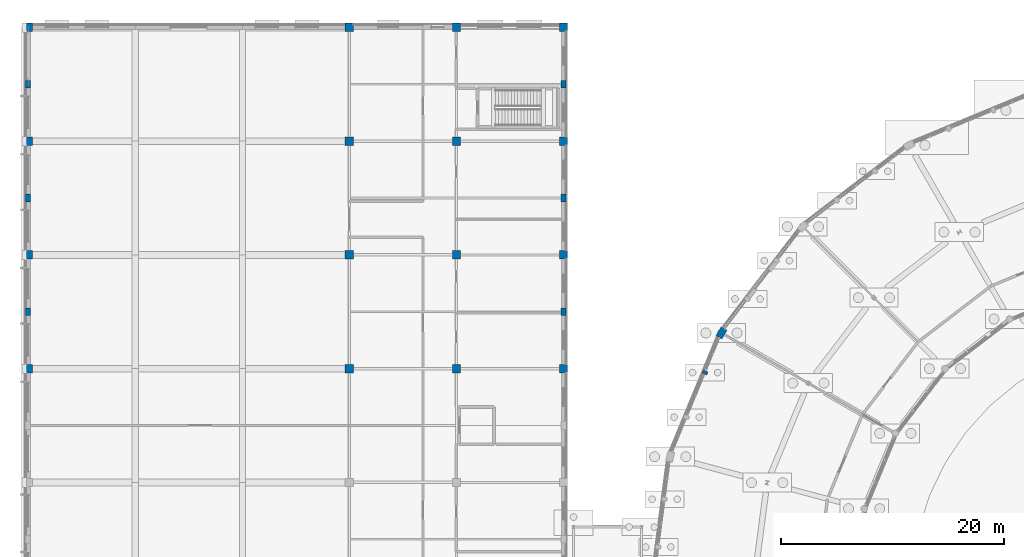
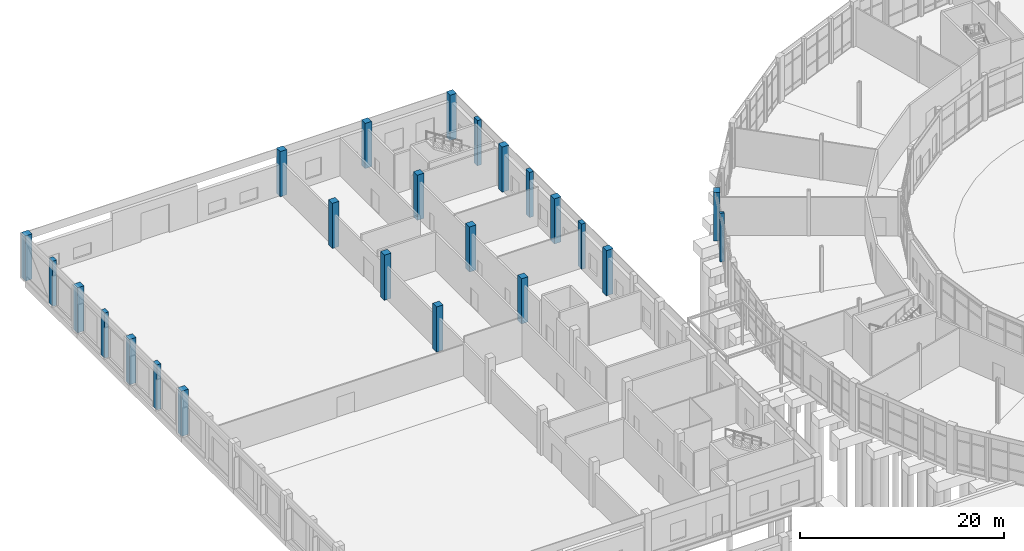
# One storey, part 14 of 137: 24 columns.
"""IFC4 building model written with IfcOpenShell, lengths in metres."""

import ifcopenshell
import ifcopenshell.guid

model = None  # the IFC model being written
_history = None  # IfcOwnerHistory: only IFC2X3 demands one
_inside = {}  # id of a spatial element -> (the spatial element, [elements in it])
_under = {}  # id of a project, library or spatial element -> (it, [spatial elements below it])
_declared = {}  # id of a project -> (the project, [libraries it declares])
_typed = {}  # id of a type object -> (the type object, [elements of that type])
_made_of = {}  # id of a material, layer set ... -> (it, [elements and type objects made of it])


def new_model(schema):
    """Start an empty IFC model of exactly this schema.

    Asked for "IFC4X3", IfcOpenShell would pick the latest addendum, in which some entities
    have other attributes; the version numbers below select the first issue.
    IFC2X3 requires an IfcOwnerHistory on every rooted entity: one is made here for all.
    """
    global model, _history
    if schema == "IFC4X3":
        model = ifcopenshell.file(schema_version=(4, 3, 0, 0))
    else:
        model = ifcopenshell.file(schema=schema)
    _inside.clear()
    _under.clear()
    _declared.clear()
    _typed.clear()
    _made_of.clear()
    _history = None
    if model.schema == "IFC2X3":
        org = make("IfcOrganization", Name="unknown")
        user = make(
            "IfcPersonAndOrganization",
            ThePerson=make("IfcPerson", FamilyName="unknown"),
            TheOrganization=org,
        )
        app = make(
            "IfcApplication",
            ApplicationDeveloper=org,
            Version="unknown",
            ApplicationFullName="unknown",
            ApplicationIdentifier="unknown",
        )
        _history = make(
            "IfcOwnerHistory",
            OwningUser=user,
            OwningApplication=app,
            ChangeAction="ADDED",
            CreationDate=0,
        )
    return model


def make(cls, **values):
    """One entity of the class cls with the attributes given. An attribute that is None is left unset."""
    return model.create_entity(
        cls, **{name: value for name, value in values.items() if value is not None}
    )


def rooted(cls, **values):
    """An entity with a GlobalId (a new one), such as an element, a storey or a relation."""
    return make(cls, GlobalId=ifcopenshell.guid.new(), OwnerHistory=_history, **values)


def si_unit(unit_type, name, prefix=None):
    """IfcSIUnit, for example si_unit("LENGTHUNIT", "METRE", prefix="MILLI")."""
    return make("IfcSIUnit", UnitType=unit_type, Prefix=prefix, Name=name)


def assignment(units):
    """IfcUnitAssignment: the units of a project."""
    return None if units is None else make("IfcUnitAssignment", Units=units)


def point(xyz):
    """IfcCartesianPoint."""
    return None if xyz is None else make("IfcCartesianPoint", Coordinates=xyz)


def direction(xyz):
    """IfcDirection."""
    return None if xyz is None else make("IfcDirection", DirectionRatios=xyz)


def frame(location, z_axis=None, x_axis=None):
    """IfcAxis2Placement3D, a coordinate frame: its origin and axes. An axis left out is left unset."""
    return make(
        "IfcAxis2Placement3D",
        Location=point(location),
        Axis=direction(z_axis),
        RefDirection=direction(x_axis),
    )


def frame_2d(location, x_axis=None):
    """IfcAxis2Placement2D, a coordinate frame in the plane: its origin and x axis."""
    return make(
        "IfcAxis2Placement2D", Location=point(location), RefDirection=direction(x_axis)
    )


def origin():
    """The frame at (0, 0, 0) with its axes left unset."""
    return frame((0.0, 0.0, 0.0))


def origin_2d():
    """The frame at (0, 0) in the plane with its x axis left unset."""
    return frame_2d((0.0, 0.0))


def place(relative_to, where):
    """IfcLocalPlacement: puts the frame where relative to a parent placement (None: the world)."""
    return make(
        "IfcLocalPlacement", PlacementRelTo=relative_to, RelativePlacement=where
    )


def context(
    kind, dimensions, precision=None, world=None, true_north=None, identifier=None
):
    """IfcGeometricRepresentationContext, for example the 3D "Model" context."""
    return make(
        "IfcGeometricRepresentationContext",
        ContextIdentifier=identifier,
        ContextType=kind,
        CoordinateSpaceDimension=dimensions,
        Precision=precision,
        WorldCoordinateSystem=world,
        TrueNorth=true_north,
    )


def subcontext(parent, identifier, kind, view, scale=None):
    """IfcGeometricRepresentationSubContext, for example "Body" below "Model"."""
    return make(
        "IfcGeometricRepresentationSubContext",
        ContextIdentifier=identifier,
        ContextType=kind,
        ParentContext=parent,
        TargetScale=scale,
        TargetView=view,
    )


def project(units=None, contexts=None):
    """IfcProject with its units and contexts."""
    return rooted(
        "IfcProject",
        Name="project",
        RepresentationContexts=contexts,
        UnitsInContext=assignment(units),
    )


def spatial(cls, under=None, at=None, **own):
    """A site, building, storey or space (cls), placed at a placement, below another one or the project."""
    s = rooted(cls, ObjectPlacement=at, **own)
    if under is not None:
        _under.setdefault(under.id(), (under, []))[1].append(s)
    return s


def profile(cls, at=None, kind="AREA", **sizes):
    """A parametric profile (cls). Its sizes go by their IFC names, for example OverallWidth=200.0."""
    return make(cls, ProfileType=kind, Position=at, **sizes)


def rectangle(**sizes):
    """IfcRectangleProfileDef."""
    return profile("IfcRectangleProfileDef", **sizes)


def extrude(swept, where, along, depth):
    """IfcExtrudedAreaSolid: the profile swept, set in the frame where, extruded along a direction by depth."""
    return make(
        "IfcExtrudedAreaSolid",
        SweptArea=swept,
        Position=where,
        ExtrudedDirection=direction(along),
        Depth=depth,
    )


def shape(context_of_items, identifier, shape_type, items):
    """IfcShapeRepresentation: the items that make up one representation, for example the "Body"."""
    return make(
        "IfcShapeRepresentation",
        ContextOfItems=context_of_items,
        RepresentationIdentifier=identifier,
        RepresentationType=shape_type,
        Items=items,
    )


def material(Name=None, Category=None):
    """IfcMaterial."""
    return make("IfcMaterial", Name=Name, Category=Category)


def material_profile(
    of_material, cross_section, Name=None, Category=None, Priority=None
):
    """IfcMaterialProfile: a cross section and its material."""
    return make(
        "IfcMaterialProfile",
        Name=Name,
        Material=of_material,
        Profile=cross_section,
        Priority=Priority,
        Category=Category,
    )


def profile_set(profiles, Name=None, composite=None):
    """IfcMaterialProfileSet."""
    return make(
        "IfcMaterialProfileSet",
        Name=Name,
        MaterialProfiles=profiles,
        CompositeProfile=composite,
    )


def made_of(thing, what):
    """Note that an element or type object is made of a material, layer set ...; save() writes the relation."""
    if what is not None:
        _made_of.setdefault(what.id(), (what, []))[1].append(thing)
    return thing


def type_object(cls, material=None, **own):
    """A type object (cls), such as IfcWallType, which elements share."""
    return made_of(rooted(cls, **own), material)


def element(
    cls,
    number,
    at=None,
    inside=None,
    cuts=None,
    type_object=None,
    material=None,
    context=None,
    identifier="Body",
    shape_type=None,
    held_by="IfcProductDefinitionShape",
    body=None,
    shapes=None,
    **own,
):
    """One element of the class cls, such as IfcWall. Its Tag is "e" and its number.

    at: its placement. inside: the storey or other place that contains it. cuts: it is an
    opening in that element (IfcRelVoidsElement). A single representation is given by context,
    identifier, shape_type and body (its items); several are given by shapes. held_by: the class
    of the entity that holds the representations. save() writes the other relations.
    """
    e = rooted(cls, Tag="e%d" % number, ObjectPlacement=at, **own)
    if body is not None:
        shapes = [shape(context, identifier, shape_type, body)]
    if shapes is not None:
        e.Representation = make(held_by, Representations=shapes)
    if inside is not None:
        _inside.setdefault(inside.id(), (inside, []))[1].append(e)
    if cuts is not None:
        rooted(
            "IfcRelVoidsElement", RelatingBuildingElement=cuts, RelatedOpeningElement=e
        )
    if type_object is not None:
        _typed.setdefault(type_object.id(), (type_object, []))[1].append(e)
    return made_of(e, material)


def aggregate(whole, parts):
    """IfcRelAggregates: a whole, such as a stair, and the parts it consists of."""
    return rooted("IfcRelAggregates", RelatingObject=whole, RelatedObjects=parts)


def save(model, path):
    """Write the relations noted so far, then the file.

    IfcRelAggregates (storeys below a building ...), IfcRelContainedInSpatialStructure (elements
    in a storey), IfcRelDefinesByType, IfcRelAssociatesMaterial and IfcRelDeclares: one each for
    every whole, place, type object, material and project.
    """
    for whole, parts in _under.values():
        aggregate(whole, parts)
    for where, things in _inside.values():
        rooted(
            "IfcRelContainedInSpatialStructure",
            RelatedElements=things,
            RelatingStructure=where,
        )
    for kind, things in _typed.values():
        rooted("IfcRelDefinesByType", RelatedObjects=things, RelatingType=kind)
    for what, things in _made_of.values():
        rooted("IfcRelAssociatesMaterial", RelatedObjects=things, RelatingMaterial=what)
    for by, libraries in _declared.values():
        rooted("IfcRelDeclares", RelatingContext=by, RelatedDefinitions=libraries)
    model.write(path)


model = new_model("IFC4")

# Units and contexts
model_context = context("Model", 3, precision=1e-05, world=origin(), true_north=direction((0.0, 1.0)))
body_context = subcontext(model_context, "Body", "Model", "MODEL_VIEW")
ifc_project = project(units=[si_unit("LENGTHUNIT", "METRE"), si_unit("AREAUNIT", "SQUARE_METRE"), si_unit("VOLUMEUNIT", "CUBIC_METRE"), si_unit("PLANEANGLEUNIT", "RADIAN"), si_unit("MASSUNIT", "GRAM", prefix="KILO")], contexts=[model_context])

# Site, building, storey
site_placement = place(None, origin())
site = spatial("IfcSite", under=ifc_project, at=site_placement, CompositionType="ELEMENT")
building_placement = place(site_placement, origin())
building = spatial("IfcBuilding", under=site, at=building_placement, Name="Vondelvale Polytechnic", CompositionType="ELEMENT")
storey_placement = place(building_placement, origin())
storey = spatial("IfcBuildingStorey", under=building, at=storey_placement, Name="L00", CompositionType="ELEMENT", Elevation=0.0)

# Columns
ifc_material_1 = material(Name="Glulam GL18 structural Tasmanian oak (fb = 42 MPa)", Category="wood")
ifc_material_profile_1 = material_profile(ifc_material_1, rectangle(XDim=0.300048828125, YDim=0.449951171875, at=origin_2d()), Name="GL-POST-300x450")
ifc_profile_set_1 = profile_set([ifc_material_profile_1], Name="Glulam GL18 structural Tasmanian oak (fb = 42 MPa)")
column_type_1 = type_object("IfcColumnType", Name="COL-GLULAM-300x450", PredefinedType="PILASTER", material=ifc_profile_set_1)
column_1_placement = place(storey_placement, frame((60.6923828125, 91.44970703125, -0.39990234375), z_axis=(0.0, 0.0, 1.0), x_axis=(0.382683432365, 0.923879532511, 0.0)))
element("IfcColumn", 1, at=column_1_placement, inside=storey, type_object=column_type_1, Name="L00 ring outer glulam timber post C10-P1", PredefinedType="PILASTER", context=body_context, shape_type="SweptSolid", body=[
    extrude(rectangle(XDim=0.300048828125, YDim=0.449951171875, at=origin_2d()), origin(), (0.0, 0.0, 1.0), 5.7998046875),
])
ifc_material_2 = material(Name="Concrete N50 (f'c = 50 MPa)", Category="concrete")
ifc_material_profile_2 = material_profile(ifc_material_2, rectangle(XDim=0.75, YDim=0.75, at=origin_2d()), Name="RC-COL-750x750")
ifc_profile_set_2 = profile_set([ifc_material_profile_2], Name="Concrete N50 (f'c = 50 MPa)")
column_type_2 = type_object("IfcColumnType", Name="COL-RC750", PredefinedType="COLUMN", material=ifc_profile_set_2)
for number, where, z_axis, x_axis, name in (
    (2, (0.0, 91.800048828125, 0.0), (0.0, 0.0, 1.0), (1.0, 0.0, 0.0), "L00 workshop column (0.0,91.8)"),
    (3, (28.800048828125, 91.800048828125, 0.0), (0.0, 0.0, 1.0), (1.0, 0.0, 0.0), "L00 workshop column (28.8,91.8)"),
    (4, (38.39990234375, 91.800048828125, 0.0), (0.0, 0.0, 1.0), (1.0, 0.0, 0.0), "L00 workshop column (38.4,91.8)"),
    (5, (48.0, 91.800048828125, 0.0), (0.0, 0.0, 1.0), (1.0, 0.0, 0.0), "L00 workshop column (48.0,91.8)"),
    (6, (0.0, 102.0, 0.0), (0.0, 0.0, 1.0), (1.0, 0.0, 0.0), "L00 workshop column (0.0,102.0)"),
    (7, (28.800048828125, 102.0, 0.0), (0.0, 0.0, 1.0), (1.0, 0.0, 0.0), "L00 workshop column (28.8,102.0)"),
    (8, (38.39990234375, 102.0, 0.0), (0.0, 0.0, 1.0), (1.0, 0.0, 0.0), "L00 workshop column (38.4,102.0)"),
    (9, (48.0, 102.0, 0.0), (0.0, 0.0, 1.0), (1.0, 0.0, 0.0), "L00 workshop column (48.0,102.0)"),
    (10, (0.0, 112.199951171875, 0.0), (0.0, 0.0, 1.0), (1.0, 0.0, 0.0), "L00 workshop column (0.0,112.2)"),
    (11, (28.800048828125, 112.199951171875, 0.0), (0.0, 0.0, 1.0), (1.0, 0.0, 0.0), "L00 workshop column (28.8,112.2)"),
    (12, (38.39990234375, 112.199951171875, 0.0), (0.0, 0.0, 1.0), (1.0, 0.0, 0.0), "L00 workshop column (38.4,112.2)"),
    (13, (48.0, 112.199951171875, 0.0), (0.0, 0.0, 1.0), (1.0, 0.0, 0.0), "L00 workshop column (48.0,112.2)"),
    (14, (0.0, 122.39990234375, 0.0), (0.0, 0.0, 1.0), (1.0, 0.0, 0.0), "L00 workshop column (0.0,122.4)"),
    (15, (28.800048828125, 122.39990234375, 0.0), (0.0, 0.0, 1.0), (1.0, 0.0, 0.0), "L00 workshop column (28.8,122.4)"),
    (16, (38.39990234375, 122.39990234375, 0.0), (0.0, 0.0, 1.0), (1.0, 0.0, 0.0), "L00 workshop column (38.4,122.4)"),
    (17, (48.0, 122.39990234375, 0.0), (0.0, 0.0, 1.0), (1.0, 0.0, 0.0), "L00 workshop column (48.0,122.4)"),
):
    element("IfcColumn", number, at=place(storey_placement, frame(where, z_axis=z_axis, x_axis=x_axis)), inside=storey, type_object=column_type_2, Name=name, PredefinedType="COLUMN", context=body_context, shape_type="SweptSolid", body=[
        extrude(rectangle(XDim=0.75, YDim=0.75, at=origin_2d()), origin(), (0.0, 0.0, 1.0), 5.39990234375),
    ])
ifc_material_profile_3 = material_profile(ifc_material_2, rectangle(XDim=0.60009765625, YDim=0.89990234375, at=origin_2d()), Name="RC-COL-900x600")
ifc_profile_set_3 = profile_set([ifc_material_profile_3], Name="Concrete N50 (f'c = 50 MPa)")
column_type_3 = type_object("IfcColumnType", Name="COL-RC900x600", PredefinedType="COLUMN", material=ifc_profile_set_3)
column_2_placement = place(storey_placement, frame((62.162841796875, 95.0, -0.39990234375), z_axis=(0.0, 0.0, 1.0), x_axis=(-0.866025403784, 0.5, 0.0)))
element("IfcColumn", 18, at=column_2_placement, inside=storey, type_object=column_type_3, Name="L00 courtyard ring column S10-RO", PredefinedType="COLUMN", context=body_context, shape_type="SweptSolid", body=[
    extrude(rectangle(XDim=0.60009765625, YDim=0.89990234375, at=origin_2d()), origin(), (0.0, 0.0, 1.0), 5.7998046875),
])
ifc_material_profile_4 = material_profile(ifc_material_2, rectangle(XDim=0.449951171875, YDim=0.699951171875, at=origin_2d()), Name="RC-PIL-700x450")
ifc_profile_set_4 = profile_set([ifc_material_profile_4], Name="Concrete N50 (f'c = 50 MPa)")
column_type_4 = type_object("IfcColumnType", Name="PIL-RC700x450", PredefinedType="PILASTER", material=ifc_profile_set_4)
for number, where, z_axis, x_axis, name in (
    (19, (0.0, 96.89990234375, 0.0), (0.0, 0.0, 1.0), (1.0, 0.0, 0.0), "L00 West workshop brick pilaster 5"),
    (20, (48.0, 96.89990234375, 0.0), (0.0, 0.0, 1.0), (1.0, 0.0, 0.0), "L00 East workshop brick pilaster 5"),
    (21, (0.0, 107.10009765625, 0.0), (0.0, 0.0, 1.0), (1.0, 0.0, 0.0), "L00 West workshop brick pilaster 6"),
    (22, (48.0, 107.10009765625, 0.0), (0.0, 0.0, 1.0), (1.0, 0.0, 0.0), "L00 East workshop brick pilaster 6"),
    (23, (0.0, 117.300048828125, 0.0), (0.0, 0.0, 1.0), (1.0, 0.0, 0.0), "L00 West workshop brick pilaster 7"),
    (24, (48.0, 117.300048828125, 0.0), (0.0, 0.0, 1.0), (1.0, 0.0, 0.0), "L00 East workshop brick pilaster 7"),
):
    element("IfcColumn", number, at=place(storey_placement, frame(where, z_axis=z_axis, x_axis=x_axis)), inside=storey, type_object=column_type_4, Name=name, PredefinedType="PILASTER", context=body_context, shape_type="SweptSolid", body=[
        extrude(rectangle(XDim=0.449951171875, YDim=0.699951171875, at=origin_2d()), origin(), (0.0, 0.0, 1.0), 5.39990234375),
    ])

save(model, "model.ifc")
